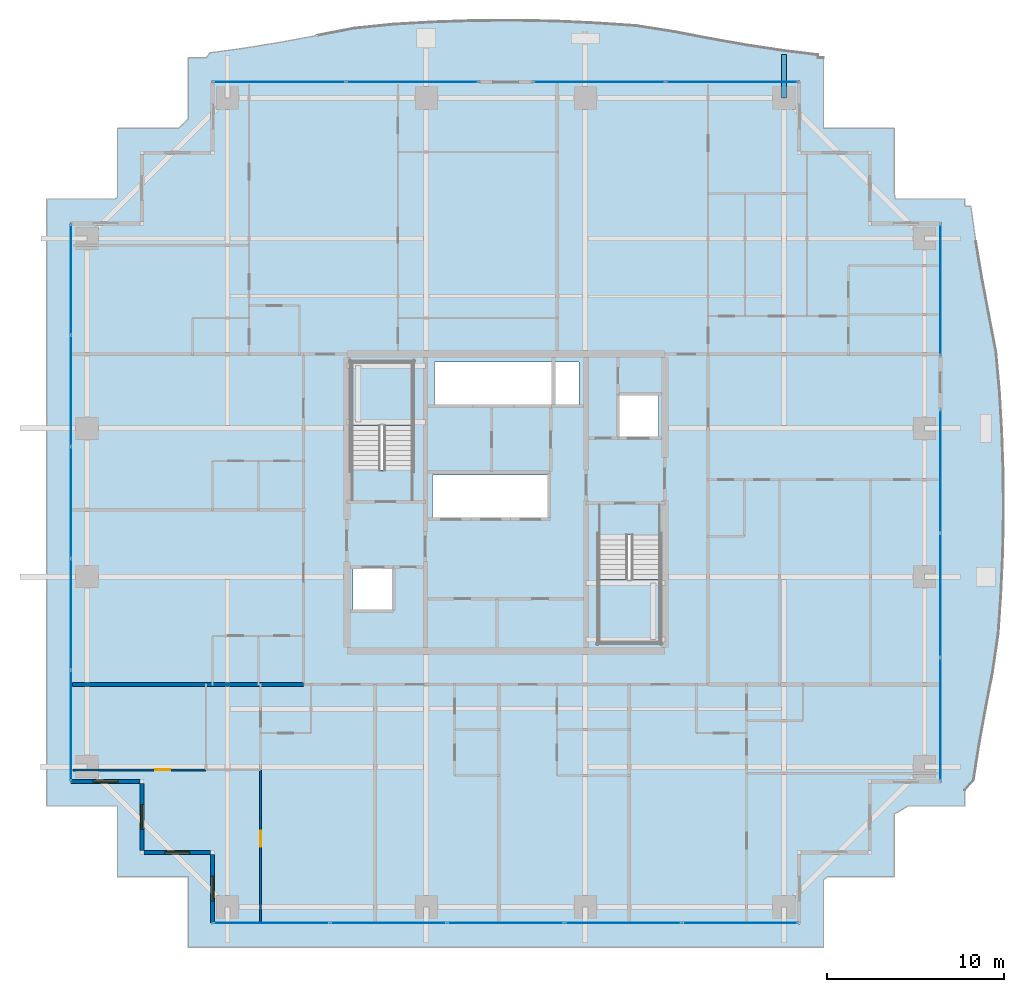
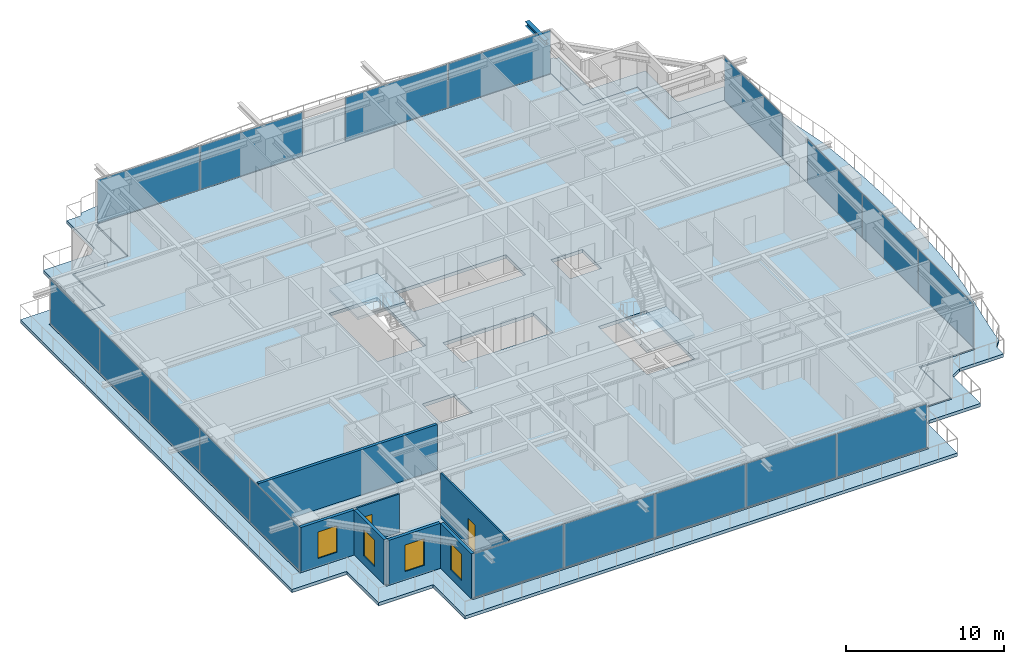
# One storey, part 22 of 33: 18 plates, 7 walls, 4 slabs, 4 windows, 2 doors, 1 beam, 6 openings, 8 elements without a shape of their own.
"""IFC4 building model written with IfcOpenShell, lengths in metres."""

from ifc_helpers import new_model, si_unit, direction, frame, frame_2d, origin, origin_2d, place, context, subcontext, project, spatial, polyline, rectangle, i_section, outline, extrude, source, transform, mapped, material, layer, layer_set, material_profile, profile_set, type_object, element, fill, aggregate, save


model = new_model("IFC4")

# Units and contexts
model_context = context("Model", 3, precision=1e-05, world=origin(), true_north=direction((0.0, 1.0)))
body_context = subcontext(model_context, "Body", "Model", "MODEL_VIEW")
ifc_project = project(units=[si_unit("LENGTHUNIT", "METRE"), si_unit("AREAUNIT", "SQUARE_METRE"), si_unit("VOLUMEUNIT", "CUBIC_METRE"), si_unit("PLANEANGLEUNIT", "RADIAN"), si_unit("MASSUNIT", "GRAM", prefix="KILO")], contexts=[model_context])

# Site, building, storey
site_placement = place(None, origin())
site = spatial("IfcSite", under=ifc_project, at=site_placement, CompositionType="ELEMENT")
building_placement = place(site_placement, origin())
building = spatial("IfcBuilding", under=site, at=building_placement, Name="Serunith Strait Residences", CompositionType="ELEMENT")
storey_placement = place(building_placement, frame((0.0, 0.0, 150.14990234375)))
storey = spatial("IfcBuildingStorey", under=building, at=storey_placement, Name="L37", CompositionType="ELEMENT", Elevation=150.14990234375)

# Beam
ifc_material_1 = material(Name="Steel S355J2", Category="steel")
ifc_material_profile = material_profile(ifc_material_1, i_section(OverallWidth=0.300048828125, OverallDepth=0.360107421875, WebThickness=0.012451171875, FlangeThickness=0.0224609375, FilletRadius=0.027099609375, at=origin_2d()), Name="HEB 360")
ifc_profile_set = profile_set([ifc_material_profile], Name="Steel S355J2")
beam_type = type_object("IfcBeamType", Name="BM-HEB360", PredefinedType="BEAM", material=ifc_profile_set)
shared_shape_1 = source(origin(), body_context, "Body", "SweptSolid", [
    extrude(i_section(OverallWidth=0.300048828125, OverallDepth=0.360107421875, WebThickness=0.012451171875, FlangeThickness=0.0224609375, FilletRadius=0.027099609375, at=origin_2d()), origin(), (0.0, 0.0, 1.0), 2.4580078125),
])
beam_placement = place(storey_placement, frame((48.14990234375, 48.10009765625, 3.277099609375), z_axis=(0.0, 1.0, 0.0), x_axis=(-1.0, 0.0, 0.0)))
element("IfcBeam", 1, at=beam_placement, inside=storey, type_object=beam_type, Name="L38 Cantilevered Balcony Rib TC-N4", PredefinedType="BEAM", context=body_context, shape_type="MappedRepresentation", body=[
    mapped(shared_shape_1, transform((0.0, 0.0, 0.0), scale=1.0)),
])

# Slab
ifc_material_2 = material(Name="Concrete C50/60", Category="concrete")
ifc_layer_1 = layer(ifc_material_2, 0.239990234375, Name="Concrete C50/60")
ifc_layer_set_1 = layer_set([ifc_layer_1], Name="Concrete C50/60")
slab_type_1 = type_object("IfcSlabType", Name="SLB-BALC-240", PredefinedType="FLOOR", material=ifc_layer_set_1)
slab_1_placement = place(storey_placement, frame((0.0, 0.0, -0.289794921875)))
element("IfcSlab", 2, at=slab_1_placement, inside=storey, type_object=slab_type_1, Name="L37 Planted Vertical-Forest Balcony Slab", PredefinedType="FLOOR", context=body_context, shape_type="SweptSolid", body=[
    extrude(outline(polyline([(10.419921875, 46.3798828125), (13.880859375, 46.3798828125), (14.419921875, 46.89697265625), (14.419921875, 50.3798828125), (15.448974609375, 50.3798828125), (15.64501953125, 50.6533203125), (17.64501953125, 50.9267578125), (19.6630859375, 51.258056640625), (21.717041015625, 51.638671875), (23.827392578125, 52.0458984375), (26.04931640625, 52.271484375), (28.32373046875, 52.400390625), (30.62353515625, 52.476318359375), (32.93505859375, 52.4912109375), (35.24267578125, 52.444091796875), (37.531494140625, 52.33935546875), (39.789306640625, 52.1875), (41.95361328125, 51.845703125), (44.034912109375, 51.447021484375), (46.0693359375, 51.08837890625), (48.076904296875, 50.78466796875), (50.072998046875, 50.53857421875), (50.072021484375, 50.3798828125), (50.3798828125, 50.3798828125), (50.3798828125, 46.3798828125), (54.3798828125, 46.3798828125), (54.3798828125, 42.80078125), (54.44287109375, 42.3798828125), (58.3798828125, 42.3798828125), (58.3798828125, 41.983642578125), (58.723388671875, 41.964111328125), (59.0078125, 39.964111328125), (59.34814453125, 37.943603515625), (59.735107421875, 35.8857421875), (60.14453125, 33.771484375), (60.3466796875, 31.54296875), (60.479248046875, 29.27099609375), (60.55859375, 26.97412109375), (60.577392578125, 24.66552734375), (60.533447265625, 22.360107421875), (60.43115234375, 20.072509765625), (60.280517578125, 17.814208984375), (59.96484375, 15.63818359375), (59.5615234375, 13.551513671875), (59.193603515625, 11.5126953125), (58.87744140625, 9.503662109375), (58.3798828125, 8.923583984375), (58.3798828125, 8.02001953125), (55.158935546875, 8.02001953125), (54.3798828125, 7.55615234375), (54.3798828125, 4.02001953125), (50.601806640625, 4.02001953125), (50.3798828125, 3.8408203125), (50.3798828125, 0.02001953125), (14.419921875, 0.02001953125), (14.419921875, 4.02001953125), (10.419921875, 4.02001953125), (10.419921875, 8.02001953125), (6.419921875, 8.02001953125), (6.419921875, 42.3798828125), (10.284912109375, 42.3798828125), (10.419921875, 42.47802734375), (10.419921875, 46.3798828125)]), holes=[polyline([(49.054931640625, 1.344970703125), (49.054931640625, 5.344970703125), (53.054931640625, 5.344970703125), (53.054931640625, 9.344970703125), (57.054931640625, 9.344970703125), (57.054931640625, 41.054931640625), (53.054931640625, 41.054931640625), (53.054931640625, 45.054931640625), (49.054931640625, 45.054931640625), (49.054931640625, 49.054931640625), (15.7451171875, 49.054931640625), (15.7451171875, 45.054931640625), (11.7451171875, 45.054931640625), (11.7451171875, 41.054931640625), (7.7451171875, 41.054931640625), (7.7451171875, 9.344970703125), (11.7451171875, 9.344970703125), (11.7451171875, 5.344970703125), (15.7451171875, 5.344970703125), (15.7451171875, 1.344970703125), (49.054931640625, 1.344970703125)])]), origin(), (0.0, 0.0, 1.0), 0.239990234375),
])

# Stair, slab
stair_type_1 = type_object("IfcStairType", Name="STR-CORE-1", PredefinedType="HALF_TURN_STAIR", material=ifc_material_2)
stair_1_placement = place(storey_placement, origin())
stair_1 = element("IfcStair", 3, at=stair_1_placement, inside=storey, type_object=stair_type_1, Name="L37 Protected Escape Stair ST-1", PredefinedType="HALF_TURN_STAIR")
ifc_layer_2 = layer(ifc_material_2, 0.199951171875, Name="Concrete C50/60")
ifc_layer_set_2 = layer_set([ifc_layer_2], Name="Concrete C50/60")
slab_type_2 = type_object("IfcSlabType", Name="SLB-LAND-200", PredefinedType="LANDING", material=ifc_layer_set_2)
slab_2_placement = place(storey_placement, frame((0.0, 0.0, 1.675048828125)))
slab_2 = element("IfcSlab", 4, at=slab_2_placement, type_object=slab_type_2, Name="ST-1 landing 1", PredefinedType="LANDING", context=body_context, shape_type="SweptSolid", body=[
    extrude(outline(polyline([(27.14990234375, 29.550048828125), (27.14990234375, 33.14990234375), (23.64990234375, 33.14990234375), (23.64990234375, 29.550048828125), (27.14990234375, 29.550048828125)])), origin(), (0.0, 0.0, 1.0), 0.199951171875),
])
aggregate(stair_1, [slab_2])

stair_type_2 = type_object("IfcStairType", Name="STR-CORE-2", PredefinedType="HALF_TURN_STAIR", material=ifc_material_2)
stair_2_placement = place(storey_placement, origin())
stair_2 = element("IfcStair", 5, at=stair_2_placement, inside=storey, type_object=stair_type_2, Name="L37 Protected Escape Stair ST-2", PredefinedType="HALF_TURN_STAIR")
slab_3_placement = place(storey_placement, frame((0.0, 0.0, 1.675048828125)))
slab_3 = element("IfcSlab", 6, at=slab_3_placement, type_object=slab_type_2, Name="ST-2 landing 1", PredefinedType="LANDING", context=body_context, shape_type="SweptSolid", body=[
    extrude(outline(polyline([(37.64990234375, 20.85009765625), (37.64990234375, 17.25), (41.14990234375, 17.25), (41.14990234375, 20.85009765625), (37.64990234375, 20.85009765625)])), origin(), (0.0, 0.0, 1.0), 0.199951171875),
])
aggregate(stair_2, [slab_3])

# Slab
ifc_material_3 = material(Name="Concrete C60/75", Category="concrete")
ifc_layer_3 = layer(ifc_material_3, 0.260009765625, Name="Concrete C60/75")
ifc_layer_set_3 = layer_set([ifc_layer_3], Name="Concrete C60/75")
slab_type_3 = type_object("IfcSlabType", Name="SLB-TWR-260-Z2", PredefinedType="FLOOR", material=ifc_layer_set_3)
slab_4_placement = place(storey_placement, frame((0.0, 0.0, -0.260009765625)))
element("IfcSlab", 7, at=slab_4_placement, inside=storey, type_object=slab_type_3, Name="L37 Structural Floor Plate", PredefinedType="FLOOR", context=body_context, shape_type="SweptSolid", body=[
    extrude(outline(polyline([(15.800048828125, 5.39990234375), (11.800048828125, 5.39990234375), (11.800048828125, 9.39990234375), (7.800048828125, 9.39990234375), (7.800048828125, 41.0), (11.800048828125, 41.0), (11.800048828125, 45.0), (15.800048828125, 45.0), (15.800048828125, 49.0), (49.0, 49.0), (49.0, 45.0), (53.0, 45.0), (53.0, 41.0), (57.0, 41.0), (57.0, 9.39990234375), (53.0, 9.39990234375), (53.0, 5.39990234375), (49.0, 5.39990234375), (49.0, 1.39990234375), (15.800048828125, 1.39990234375), (15.800048828125, 5.39990234375)]), holes=[polyline([(41.14990234375, 23.3701171875), (37.64990234375, 23.3701171875), (37.64990234375, 17.25), (41.14990234375, 17.25), (41.14990234375, 23.3701171875)]), polyline([(38.75, 31.25), (38.75, 28.85009765625), (41.050048828125, 28.85009765625), (41.050048828125, 31.25), (38.75, 31.25)]), polyline([(36.550048828125, 33.14990234375), (28.35009765625, 33.14990234375), (28.35009765625, 30.64990234375), (36.550048828125, 30.64990234375), (36.550048828125, 33.14990234375)]), polyline([(34.85009765625, 26.75), (28.25, 26.75), (28.25, 24.25), (34.85009765625, 24.25), (34.85009765625, 26.75)]), polyline([(23.64990234375, 33.14990234375), (23.64990234375, 27.030029296875), (27.14990234375, 27.030029296875), (27.14990234375, 33.14990234375), (23.64990234375, 33.14990234375)]), polyline([(26.050048828125, 21.550048828125), (23.75, 21.550048828125), (23.75, 19.14990234375), (26.050048828125, 19.14990234375), (26.050048828125, 21.550048828125)])]), origin(), (0.0, 0.0, 1.0), 0.260009765625),
])

# Curtain wall, plates
ifc_material_4 = material(Name="Pale-Champagne Anodised Aluminium", Category="aluminium")
ifc_layer_4 = layer(ifc_material_4, 0.199951171875, Name="Pale-Champagne Anodised Aluminium")
ifc_layer_set_4 = layer_set([ifc_layer_4], Name="Pale-Champagne Anodised Aluminium")
curtain_wall_type = type_object("IfcCurtainWallType", Name="CW-SYS2", PredefinedType="NOTDEFINED", material=ifc_layer_set_4)
curtain_wall_1_placement = place(storey_placement, origin())
curtain_wall_1 = element("IfcCurtainWall", 8, at=curtain_wall_1_placement, inside=storey, type_object=curtain_wall_type, Name="L37 S Unitised Fritted Curtain Wall", PredefinedType="NOTDEFINED")
ifc_material_5 = material(Name="Diagonal-Frit Operable Low-E Glazing 30mm", Category="glass")
ifc_layer_5 = layer(ifc_material_5, 0.030029296875, Name="Diagonal-Frit Operable Low-E Glazing 30mm")
ifc_layer_set_5 = layer_set([ifc_layer_5], Name="Diagonal-Frit Operable Low-E Glazing 30mm")
plate_type = type_object("IfcPlateType", Name="CW-SYS2-PNL", PredefinedType="CURTAIN_PANEL", material=ifc_layer_set_5)
shared_shape_2 = source(origin(), body_context, "Body", "SweptSolid", [
    extrude(rectangle(XDim=6.534912109375, YDim=0.030029296875, at=origin_2d()), origin(), (0.0, 0.0, 1.0), 3.35498046875),
])
plate_1_placement = place(storey_placement, frame((19.137451171875, 1.39990234375, 0.06005859375), z_axis=(0.0, 0.0, 1.0), x_axis=(1.0, 0.0, 0.0)))
plate_1 = element("IfcPlate", 9, at=plate_1_placement, type_object=plate_type, Name="CW-2 panel 1.1", PredefinedType="CURTAIN_PANEL", context=body_context, shape_type="MappedRepresentation", body=[
    mapped(shared_shape_2, transform((0.0, 0.0, 0.0), scale=1.0)),
])
plate_2_placement = place(storey_placement, frame((45.66259765625, 1.39990234375, 0.06005859375), z_axis=(0.0, 0.0, 1.0), x_axis=(1.0, 0.0, 0.0)))
plate_2 = element("IfcPlate", 10, at=plate_2_placement, type_object=plate_type, Name="CW-2 panel 5.1", PredefinedType="CURTAIN_PANEL", context=body_context, shape_type="MappedRepresentation", body=[
    mapped(shared_shape_2, transform((0.0, 0.0, 0.0), scale=1.0)),
])
shared_shape_3 = source(origin(), body_context, "Body", "SweptSolid", [
    extrude(rectangle(XDim=6.570068359375, YDim=0.030029296875, at=origin_2d()), origin(), (0.0, 0.0, 1.0), 3.35498046875),
])
plate_3_placement = place(storey_placement, frame((25.760009765625, 1.39990234375, 0.06005859375), z_axis=(0.0, 0.0, 1.0), x_axis=(1.0, 0.0, 0.0)))
plate_3 = element("IfcPlate", 11, at=plate_3_placement, type_object=plate_type, Name="CW-2 panel 2.1", PredefinedType="CURTAIN_PANEL", context=body_context, shape_type="MappedRepresentation", body=[
    mapped(shared_shape_3, transform((0.0, 0.0, 0.0), scale=1.0)),
])
plate_4_placement = place(storey_placement, frame((32.39990234375, 1.39990234375, 0.06005859375), z_axis=(0.0, 0.0, 1.0), x_axis=(1.0, 0.0, 0.0)))
plate_4 = element("IfcPlate", 12, at=plate_4_placement, type_object=plate_type, Name="CW-2 panel 3.1", PredefinedType="CURTAIN_PANEL", context=body_context, shape_type="MappedRepresentation", body=[
    mapped(shared_shape_3, transform((0.0, 0.0, 0.0), scale=1.0)),
])
plate_5_placement = place(storey_placement, frame((39.0400390625, 1.39990234375, 0.06005859375), z_axis=(0.0, 0.0, 1.0), x_axis=(1.0, 0.0, 0.0)))
plate_5 = element("IfcPlate", 13, at=plate_5_placement, type_object=plate_type, Name="CW-2 panel 4.1", PredefinedType="CURTAIN_PANEL", context=body_context, shape_type="MappedRepresentation", body=[
    mapped(shared_shape_3, transform((0.0, 0.0, 0.0), scale=1.0)),
])
aggregate(curtain_wall_1, [plate_1, plate_3, plate_4, plate_5, plate_2])

curtain_wall_2_placement = place(storey_placement, origin())
curtain_wall_2 = element("IfcCurtainWall", 14, at=curtain_wall_2_placement, inside=storey, type_object=curtain_wall_type, Name="L37 W Unitised Fritted Curtain Wall", PredefinedType="NOTDEFINED")
shared_shape_4 = source(origin(), body_context, "Body", "SweptSolid", [
    extrude(rectangle(XDim=6.215087890625, YDim=0.030029296875, at=origin_2d()), origin(), (0.0, 0.0, 1.0), 3.35498046875),
])
plate_6_placement = place(storey_placement, frame((7.800048828125, 37.822509765625, 0.06005859375), z_axis=(0.0, 0.0, 1.0), x_axis=(0.0, -1.0, 0.0)))
plate_6 = element("IfcPlate", 15, at=plate_6_placement, type_object=plate_type, Name="CW-2 panel 1.1", PredefinedType="CURTAIN_PANEL", context=body_context, shape_type="MappedRepresentation", body=[
    mapped(shared_shape_4, transform((0.0, 0.0, 0.0), scale=1.0)),
])
plate_7_placement = place(storey_placement, frame((7.800048828125, 12.577392578125, 0.06005859375), z_axis=(0.0, 0.0, 1.0), x_axis=(0.0, -1.0, 0.0)))
plate_7 = element("IfcPlate", 16, at=plate_7_placement, type_object=plate_type, Name="CW-2 panel 5.1", PredefinedType="CURTAIN_PANEL", context=body_context, shape_type="MappedRepresentation", body=[
    mapped(shared_shape_4, transform((0.0, 0.0, 0.0), scale=1.0)),
])
shared_shape_5 = source(origin(), body_context, "Body", "SweptSolid", [
    extrude(rectangle(XDim=6.25, YDim=0.030029296875, at=origin_2d()), origin(), (0.0, 0.0, 1.0), 3.35498046875),
])
plate_8_placement = place(storey_placement, frame((7.800048828125, 31.52001953125, 0.06005859375), z_axis=(0.0, 0.0, 1.0), x_axis=(0.0, -1.0, 0.0)))
plate_8 = element("IfcPlate", 17, at=plate_8_placement, type_object=plate_type, Name="CW-2 panel 2.1", PredefinedType="CURTAIN_PANEL", context=body_context, shape_type="MappedRepresentation", body=[
    mapped(shared_shape_5, transform((0.0, 0.0, 0.0), scale=1.0)),
])
plate_9_placement = place(storey_placement, frame((7.800048828125, 25.199951171875, 0.06005859375), z_axis=(0.0, 0.0, 1.0), x_axis=(0.0, -1.0, 0.0)))
plate_9 = element("IfcPlate", 18, at=plate_9_placement, type_object=plate_type, Name="CW-2 panel 3.1", PredefinedType="CURTAIN_PANEL", context=body_context, shape_type="MappedRepresentation", body=[
    mapped(shared_shape_5, transform((0.0, 0.0, 0.0), scale=1.0)),
])
plate_10_placement = place(storey_placement, frame((7.800048828125, 18.8798828125, 0.06005859375), z_axis=(0.0, 0.0, 1.0), x_axis=(0.0, -1.0, 0.0)))
plate_10 = element("IfcPlate", 19, at=plate_10_placement, type_object=plate_type, Name="CW-2 panel 4.1", PredefinedType="CURTAIN_PANEL", context=body_context, shape_type="MappedRepresentation", body=[
    mapped(shared_shape_5, transform((0.0, 0.0, 0.0), scale=1.0)),
])
aggregate(curtain_wall_2, [plate_6, plate_8, plate_9, plate_10, plate_7])

# Curtain wall, plate
curtain_wall_3_placement = place(storey_placement, origin())
curtain_wall_3 = element("IfcCurtainWall", 20, at=curtain_wall_3_placement, inside=storey, type_object=curtain_wall_type, Name="L37 E Unitised Fritted Curtain Wall", PredefinedType="NOTDEFINED")
shared_shape_6 = source(origin(), body_context, "Body", "SweptSolid", [
    extrude(rectangle(XDim=7.360107421875, YDim=0.030029296875, at=origin_2d()), origin(), (0.0, 0.0, 1.0), 3.35498046875),
])
plate_11_placement = place(storey_placement, frame((57.0, 37.25, 0.06005859375), z_axis=(0.0, 0.0, 1.0), x_axis=(0.0, 1.0, 0.0)))
plate_11 = element("IfcPlate", 21, at=plate_11_placement, type_object=plate_type, Name="CW-2 panel 1.1", PredefinedType="CURTAIN_PANEL", context=body_context, shape_type="MappedRepresentation", body=[
    mapped(shared_shape_6, transform((0.0, 0.0, 0.0), scale=1.0)),
])
aggregate(curtain_wall_3, [plate_11])

# Curtain wall, plates
curtain_wall_4_placement = place(storey_placement, origin())
curtain_wall_4 = element("IfcCurtainWall", 22, at=curtain_wall_4_placement, inside=storey, type_object=curtain_wall_type, Name="L37 E Unitised Fritted Curtain Wall", PredefinedType="NOTDEFINED")
shared_shape_7 = source(origin(), body_context, "Body", "SweptSolid", [
    extrude(rectangle(XDim=6.92822265625, YDim=0.030029296875, at=origin_2d()), origin(), (0.0, 0.0, 1.0), 3.35498046875),
])
plate_12_placement = place(storey_placement, frame((57.0, 12.93408203125, 0.06005859375), z_axis=(0.0, 0.0, 1.0), x_axis=(0.0, 1.0, 0.0)))
plate_12 = element("IfcPlate", 23, at=plate_12_placement, type_object=plate_type, Name="CW-2 panel 1.1", PredefinedType="CURTAIN_PANEL", context=body_context, shape_type="MappedRepresentation", body=[
    mapped(shared_shape_7, transform((0.0, 0.0, 0.0), scale=1.0)),
])
plate_13_placement = place(storey_placement, frame((57.0, 26.9658203125, 0.06005859375), z_axis=(0.0, 0.0, 1.0), x_axis=(0.0, 1.0, 0.0)))
plate_13 = element("IfcPlate", 24, at=plate_13_placement, type_object=plate_type, Name="CW-2 panel 3.1", PredefinedType="CURTAIN_PANEL", context=body_context, shape_type="MappedRepresentation", body=[
    mapped(shared_shape_7, transform((0.0, 0.0, 0.0), scale=1.0)),
])
shared_shape_8 = source(origin(), body_context, "Body", "SweptSolid", [
    extrude(rectangle(XDim=6.96337890625, YDim=0.030029296875, at=origin_2d()), origin(), (0.0, 0.0, 1.0), 3.35498046875),
])
plate_14_placement = place(storey_placement, frame((57.0, 19.949951171875, 0.06005859375), z_axis=(0.0, 0.0, 1.0), x_axis=(0.0, 1.0, 0.0)))
plate_14 = element("IfcPlate", 25, at=plate_14_placement, type_object=plate_type, Name="CW-2 panel 2.1", PredefinedType="CURTAIN_PANEL", context=body_context, shape_type="MappedRepresentation", body=[
    mapped(shared_shape_8, transform((0.0, 0.0, 0.0), scale=1.0)),
])
aggregate(curtain_wall_4, [plate_12, plate_14, plate_13])

curtain_wall_5_placement = place(storey_placement, origin())
curtain_wall_5 = element("IfcCurtainWall", 26, at=curtain_wall_5_placement, inside=storey, type_object=curtain_wall_type, Name="L37 N Unitised Fritted Curtain Wall", PredefinedType="NOTDEFINED")
shared_shape_9 = source(origin(), body_context, "Body", "SweptSolid", [
    extrude(rectangle(XDim=7.445068359375, YDim=0.030029296875, at=origin_2d()), origin(), (0.0, 0.0, 1.0), 3.35498046875),
])
plate_15_placement = place(storey_placement, frame((45.20751953125, 49.0, 0.06005859375), z_axis=(0.0, 0.0, 1.0), x_axis=(-1.0, 0.0, 0.0)))
plate_15 = element("IfcPlate", 27, at=plate_15_placement, type_object=plate_type, Name="CW-2 panel 1.1", PredefinedType="CURTAIN_PANEL", context=body_context, shape_type="MappedRepresentation", body=[
    mapped(shared_shape_9, transform((0.0, 0.0, 0.0), scale=1.0)),
])
plate_16_placement = place(storey_placement, frame((37.6923828125, 49.0, 0.06005859375), z_axis=(0.0, 0.0, 1.0), x_axis=(-1.0, 0.0, 0.0)))
plate_16 = element("IfcPlate", 28, at=plate_16_placement, type_object=plate_type, Name="CW-2 panel 2.1", PredefinedType="CURTAIN_PANEL", context=body_context, shape_type="MappedRepresentation", body=[
    mapped(shared_shape_9, transform((0.0, 0.0, 0.0), scale=1.0)),
])
aggregate(curtain_wall_5, [plate_15, plate_16])

curtain_wall_6_placement = place(storey_placement, origin())
curtain_wall_6 = element("IfcCurtainWall", 29, at=curtain_wall_6_placement, inside=storey, type_object=curtain_wall_type, Name="L37 N Unitised Fritted Curtain Wall", PredefinedType="NOTDEFINED")
plate_17_placement = place(storey_placement, frame((27.107421875, 49.0, 0.06005859375), z_axis=(0.0, 0.0, 1.0), x_axis=(-1.0, 0.0, 0.0)))
plate_17 = element("IfcPlate", 30, at=plate_17_placement, type_object=plate_type, Name="CW-2 panel 1.1", PredefinedType="CURTAIN_PANEL", context=body_context, shape_type="MappedRepresentation", body=[
    mapped(shared_shape_9, transform((0.0, 0.0, 0.0), scale=1.0)),
])
plate_18_placement = place(storey_placement, frame((19.592529296875, 49.0, 0.06005859375), z_axis=(0.0, 0.0, 1.0), x_axis=(-1.0, 0.0, 0.0)))
plate_18 = element("IfcPlate", 31, at=plate_18_placement, type_object=plate_type, Name="CW-2 panel 2.1", PredefinedType="CURTAIN_PANEL", context=body_context, shape_type="MappedRepresentation", body=[
    mapped(shared_shape_9, transform((0.0, 0.0, 0.0), scale=1.0)),
])
aggregate(curtain_wall_6, [plate_17, plate_18])

# Wall, opening, window
ifc_material_6 = material(Name="Pale-Champagne Aluminium Insulated Panel", Category="aluminium")
ifc_layer_6 = layer(ifc_material_6, 0.219970703125, Name="Pale-Champagne Aluminium Insulated Panel")
ifc_layer_set_6 = layer_set([ifc_layer_6], Name="Pale-Champagne Aluminium Insulated Panel")
wall_type_1 = type_object("IfcWallType", Name="EW-ALUM-220", PredefinedType="ELEMENTEDWALL", material=ifc_layer_set_6)
wall_1_placement = place(storey_placement, frame((7.800048828125, 9.39990234375, 0.0), z_axis=(0.0, 0.0, 1.0), x_axis=(1.0, 0.0, 0.0)))
wall_1 = element("IfcWall", 32, at=wall_1_placement, inside=storey, type_object=wall_type_1, Name="L37 Girih Serrated Corner Wall 17", PredefinedType="ELEMENTEDWALL", context=body_context, shape_type="SweptSolid", body=[
    extrude(rectangle(XDim=3.889892578125, YDim=0.219970703125, at=frame_2d((1.94482421875, 0.0))), origin(), (0.0, 0.0, 1.0), 3.47509765625),
])
opening_1_placement = place(wall_1_placement, frame((1.2451171875, 0.0, 0.64990234375)))
opening_1 = element("IfcOpeningElement", 33, at=opening_1_placement, cuts=wall_1, Name="Opening W-03", PredefinedType="OPENING", context=body_context, shape_type="SweptSolid", body=[
    extrude(rectangle(XDim=1.39990234375, YDim=2.050048828125, at=frame_2d((0.699951171875, 1.02490234375))), frame((0.0, 0.1201171875, 0.0), z_axis=(0.0, -1.0, 0.0), x_axis=(1.0, 0.0, 0.0)), (0.0, 0.0, 1.0), 0.239990234375),
])
ifc_material_7 = material(Name="Ceramic-Fritted Operable Aluminium Window Glass", Category="aluminium")
window_type = type_object("IfcWindowType", Name="WIN-C3", PartitioningType="SINGLE_PANEL", PredefinedType="WINDOW", material=ifc_material_7)
shared_shape_10 = source(origin(), body_context, "Body", "SweptSolid", [
    extrude(rectangle(XDim=1.39990234375, YDim=2.050048828125, at=frame_2d((0.699951171875, 1.02490234375))), frame((0.0, 0.030029296875, 0.0), z_axis=(0.0, -1.0, 0.0), x_axis=(1.0, 0.0, 0.0)), (0.0, 0.0, 1.0), 0.06005859375),
])
window_1_placement = place(opening_1_placement, origin())
window_1 = element("IfcWindow", 34, at=window_1_placement, inside=storey, type_object=window_type, Name="L37 Corner Operable Fritted Window 17", OverallHeight=2.050048828125, OverallWidth=1.39990234375, PartitioningType="SINGLE_PANEL", PredefinedType="WINDOW", context=body_context, shape_type="MappedRepresentation", body=[
    mapped(shared_shape_10, transform((0.0, 0.0, 0.0), scale=1.0)),
])
fill(opening_1, window_1)

wall_2_placement = place(storey_placement, frame((11.800048828125, 9.2900390625, 0.0), z_axis=(0.0, 0.0, 1.0), x_axis=(0.0, -1.0, 0.0)))
wall_2 = element("IfcWall", 35, at=wall_2_placement, inside=storey, type_object=wall_type_1, Name="L37 Girih Serrated Corner Wall 18", PredefinedType="ELEMENTEDWALL", context=body_context, shape_type="SweptSolid", body=[
    extrude(rectangle(XDim=3.780029296875, YDim=0.219970703125, at=frame_2d((1.89013671875, 0.0))), origin(), (0.0, 0.0, 1.0), 3.47509765625),
])
opening_2_placement = place(wall_2_placement, frame((1.18994140625, 0.0, 0.64990234375)))
opening_2 = element("IfcOpeningElement", 36, at=opening_2_placement, cuts=wall_2, Name="Opening W-03", PredefinedType="OPENING", context=body_context, shape_type="SweptSolid", body=[
    extrude(rectangle(XDim=1.39990234375, YDim=2.050048828125, at=frame_2d((0.699951171875, 1.02490234375))), frame((0.0, 0.1201171875, 0.0), z_axis=(0.0, -1.0, 0.0), x_axis=(1.0, 0.0, 0.0)), (0.0, 0.0, 1.0), 0.239990234375),
])
window_2_placement = place(opening_2_placement, origin())
window_2 = element("IfcWindow", 37, at=window_2_placement, inside=storey, type_object=window_type, Name="L37 Corner Operable Fritted Window 18", OverallHeight=2.050048828125, OverallWidth=1.39990234375, PartitioningType="SINGLE_PANEL", PredefinedType="WINDOW", context=body_context, shape_type="MappedRepresentation", body=[
    mapped(shared_shape_10, transform((0.0, 0.0, 0.0), scale=1.0)),
])
fill(opening_2, window_2)

wall_3_placement = place(storey_placement, frame((11.909912109375, 5.39990234375, 0.0), z_axis=(0.0, 0.0, 1.0), x_axis=(1.0, 0.0, 0.0)))
wall_3 = element("IfcWall", 38, at=wall_3_placement, inside=storey, type_object=wall_type_1, Name="L37 Girih Serrated Corner Wall 19", PredefinedType="ELEMENTEDWALL", context=body_context, shape_type="SweptSolid", body=[
    extrude(rectangle(XDim=3.780029296875, YDim=0.219970703125, at=frame_2d((1.89013671875, 0.0))), origin(), (0.0, 0.0, 1.0), 3.47509765625),
])
opening_3_placement = place(wall_3_placement, frame((1.18994140625, 0.0, 0.64990234375)))
opening_3 = element("IfcOpeningElement", 39, at=opening_3_placement, cuts=wall_3, Name="Opening W-03", PredefinedType="OPENING", context=body_context, shape_type="SweptSolid", body=[
    extrude(rectangle(XDim=1.39990234375, YDim=2.050048828125, at=frame_2d((0.699951171875, 1.02490234375))), frame((0.0, 0.1201171875, 0.0), z_axis=(0.0, -1.0, 0.0), x_axis=(1.0, 0.0, 0.0)), (0.0, 0.0, 1.0), 0.239990234375),
])
window_3_placement = place(opening_3_placement, origin())
window_3 = element("IfcWindow", 40, at=window_3_placement, inside=storey, type_object=window_type, Name="L37 Corner Operable Fritted Window 19", OverallHeight=2.050048828125, OverallWidth=1.39990234375, PartitioningType="SINGLE_PANEL", PredefinedType="WINDOW", context=body_context, shape_type="MappedRepresentation", body=[
    mapped(shared_shape_10, transform((0.0, 0.0, 0.0), scale=1.0)),
])
fill(opening_3, window_3)

wall_4_placement = place(storey_placement, frame((15.800048828125, 5.2900390625, 0.0), z_axis=(0.0, 0.0, 1.0), x_axis=(0.0, -1.0, 0.0)))
wall_4 = element("IfcWall", 41, at=wall_4_placement, inside=storey, type_object=wall_type_1, Name="L37 Girih Serrated Corner Wall 20", PredefinedType="ELEMENTEDWALL", context=body_context, shape_type="SweptSolid", body=[
    extrude(rectangle(XDim=3.89013671875, YDim=0.219970703125, at=frame_2d((1.945068359375, 0.0))), origin(), (0.0, 0.0, 1.0), 3.47509765625),
])
opening_4_placement = place(wall_4_placement, frame((1.2451171875, 0.0, 0.64990234375)))
opening_4 = element("IfcOpeningElement", 42, at=opening_4_placement, cuts=wall_4, Name="Opening W-03", PredefinedType="OPENING", context=body_context, shape_type="SweptSolid", body=[
    extrude(rectangle(XDim=1.39990234375, YDim=2.050048828125, at=frame_2d((0.699951171875, 1.02490234375))), frame((0.0, 0.1201171875, 0.0), z_axis=(0.0, -1.0, 0.0), x_axis=(1.0, 0.0, 0.0)), (0.0, 0.0, 1.0), 0.239990234375),
])
window_4_placement = place(opening_4_placement, origin())
window_4 = element("IfcWindow", 43, at=window_4_placement, inside=storey, type_object=window_type, Name="L37 Corner Operable Fritted Window 20", OverallHeight=2.050048828125, OverallWidth=1.39990234375, PartitioningType="SINGLE_PANEL", PredefinedType="WINDOW", context=body_context, shape_type="MappedRepresentation", body=[
    mapped(shared_shape_10, transform((0.0, 0.0, 0.0), scale=1.0)),
])
fill(opening_4, window_4)

# Wall, opening, door
ifc_material_8 = material(Name="Lightweight steel-stud gypsum partition", Category="steel")
ifc_layer_7 = layer(ifc_material_8, 0.1201171875, Name="Lightweight steel-stud gypsum partition")
ifc_layer_set_7 = layer_set([ifc_layer_7], Name="Lightweight steel-stud gypsum partition")
wall_type_2 = type_object("IfcWallType", Name="IW-PART-120", PredefinedType="PARTITIONING", material=ifc_layer_set_7)
wall_5_placement = place(storey_placement, frame((18.52001953125, 1.4951171875, 0.0), z_axis=(0.0, 0.0, 1.0), x_axis=(0.0, 1.0, 0.0)))
wall_5 = element("IfcWall", 44, at=wall_5_placement, inside=storey, type_object=wall_type_2, Name="L37 Partition Wall 034", PredefinedType="PARTITIONING", context=body_context, shape_type="SweptSolid", body=[
    extrude(rectangle(XDim=8.573974609375, YDim=0.1201171875, at=frame_2d((4.287109375, 0.0))), origin(), (0.0, 0.0, 1.0), 3.489990234375),
])
opening_5_placement = place(wall_5_placement, frame((4.220947265625, 0.0, 0.0)))
opening_5 = element("IfcOpeningElement", 45, at=opening_5_placement, cuts=wall_5, Name="Opening D-RM900", PredefinedType="OPENING", context=body_context, shape_type="SweptSolid", body=[
    extrude(rectangle(XDim=0.89990234375, YDim=2.10009765625, at=frame_2d((0.449951171875, 1.050048828125))), frame((0.0, 0.070068359375, 0.0), z_axis=(0.0, -1.0, 0.0), x_axis=(1.0, 0.0, 0.0)), (0.0, 0.0, 1.0), 0.14013671875),
])
ifc_material_9 = material(Name="Engineered timber flush bedroom door", Category="wood")
door_type_1 = type_object("IfcDoorType", Name="ID-ROOM-900", OperationType="NOTDEFINED", PredefinedType="DOOR", material=ifc_material_9)
shared_shape_11 = source(origin(), body_context, "Body", "SweptSolid", [
    extrude(rectangle(XDim=0.89990234375, YDim=2.10009765625, at=frame_2d((0.449951171875, 1.050048828125))), frame((0.0, 0.02490234375, 0.0), z_axis=(0.0, -1.0, 0.0), x_axis=(1.0, 0.0, 0.0)), (0.0, 0.0, 1.0), 0.050048828125),
])
door_1_placement = place(opening_5_placement, origin())
door_1 = element("IfcDoor", 46, at=door_1_placement, inside=storey, type_object=door_type_1, Name="L37 Master Bedroom 1 3701 Door", OperationType="SINGLE_SWING_LEFT", OverallHeight=2.10009765625, OverallWidth=0.89990234375, PredefinedType="DOOR", context=body_context, shape_type="MappedRepresentation", body=[
    mapped(shared_shape_11, transform((0.0, 0.0, 0.0), scale=1.0)),
])
fill(opening_5, door_1)

wall_6_placement = place(storey_placement, frame((7.89501953125, 10.069091796875, 0.0), z_axis=(0.0, 0.0, 1.0), x_axis=(1.0, 0.0, 0.0)))
wall_6 = element("IfcWall", 47, at=wall_6_placement, inside=storey, type_object=wall_type_2, Name="L37 Partition Wall 035", PredefinedType="PARTITIONING", context=body_context, shape_type="SweptSolid", body=[
    extrude(rectangle(XDim=7.52490234375, YDim=0.1201171875, at=frame_2d((3.762451171875, 0.0))), origin(), (0.0, 0.0, 1.0), 2.97216796875),
])
opening_6_placement = place(wall_6_placement, frame((4.673095703125, 0.0, 0.0)))
opening_6 = element("IfcOpeningElement", 48, at=opening_6_placement, cuts=wall_6, Name="Opening D-RM850", PredefinedType="OPENING", context=body_context, shape_type="SweptSolid", body=[
    extrude(rectangle(XDim=0.85009765625, YDim=2.10009765625, at=frame_2d((0.425048828125, 1.050048828125))), frame((0.0, 0.070068359375, 0.0), z_axis=(0.0, -1.0, 0.0), x_axis=(1.0, 0.0, 0.0)), (0.0, 0.0, 1.0), 0.14013671875),
])
ifc_material_10 = material(Name="Engineered timber flush study and kitchen door", Category="wood")
door_type_2 = type_object("IfcDoorType", Name="ID-ROOM-850", OperationType="NOTDEFINED", PredefinedType="DOOR", material=ifc_material_10)
shared_shape_12 = source(origin(), body_context, "Body", "SweptSolid", [
    extrude(rectangle(XDim=0.85009765625, YDim=2.10009765625, at=frame_2d((0.425048828125, 1.050048828125))), frame((0.0, 0.02490234375, 0.0), z_axis=(0.0, -1.0, 0.0), x_axis=(1.0, 0.0, 0.0)), (0.0, 0.0, 1.0), 0.050048828125),
])
door_2_placement = place(opening_6_placement, origin())
door_2 = element("IfcDoor", 49, at=door_2_placement, inside=storey, type_object=door_type_2, Name="L37 Wardrobe 3701 Door", OperationType="SINGLE_SWING_RIGHT", OverallHeight=2.10009765625, OverallWidth=0.85009765625, PredefinedType="DOOR", context=body_context, shape_type="MappedRepresentation", body=[
    mapped(shared_shape_12, transform((0.0, 0.0, 0.0), scale=1.0)),
])
fill(opening_6, door_2)

# Wall
ifc_material_11 = material(Name="Twin-stud acoustic gypsum board partition")
ifc_layer_8 = layer(ifc_material_11, 0.199951171875, Name="Twin-stud acoustic gypsum board partition")
ifc_layer_set_8 = layer_set([ifc_layer_8], Name="Twin-stud acoustic gypsum board partition")
wall_type_3 = type_object("IfcWallType", Name="IW-PARTY-200", PredefinedType="PARTITIONING", material=ifc_layer_set_8)
wall_7_placement = place(storey_placement, frame((7.882080078125, 14.89990234375, 0.0), z_axis=(0.0, 0.0, 1.0), x_axis=(1.0, 0.0, 0.0)))
element("IfcWall", 50, at=wall_7_placement, inside=storey, type_object=wall_type_3, Name="L37 Partition Wall 023", PredefinedType="PARTITIONING", context=body_context, shape_type="SweptSolid", body=[
    extrude(rectangle(XDim=13.06787109375, YDim=0.199951171875, at=frame_2d((6.533935546875, 0.0))), origin(), (0.0, 0.0, 1.0), 3.489990234375),
])

save(model, "model.ifc")
